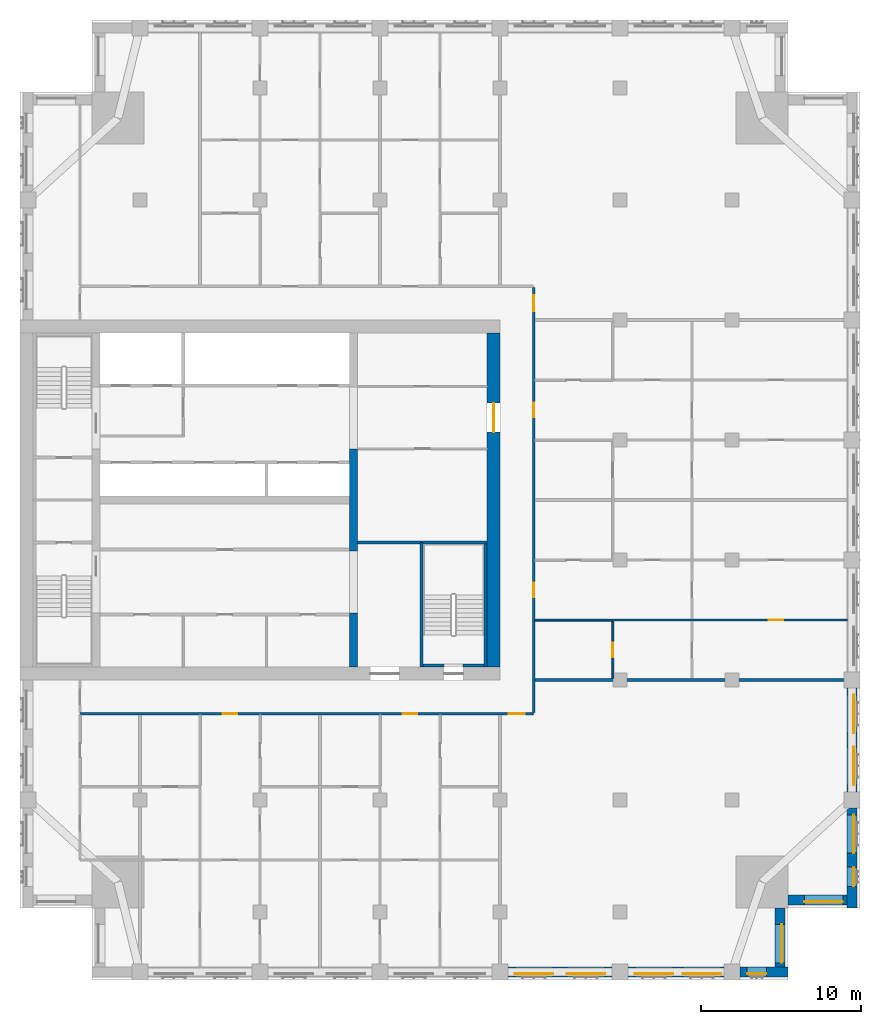
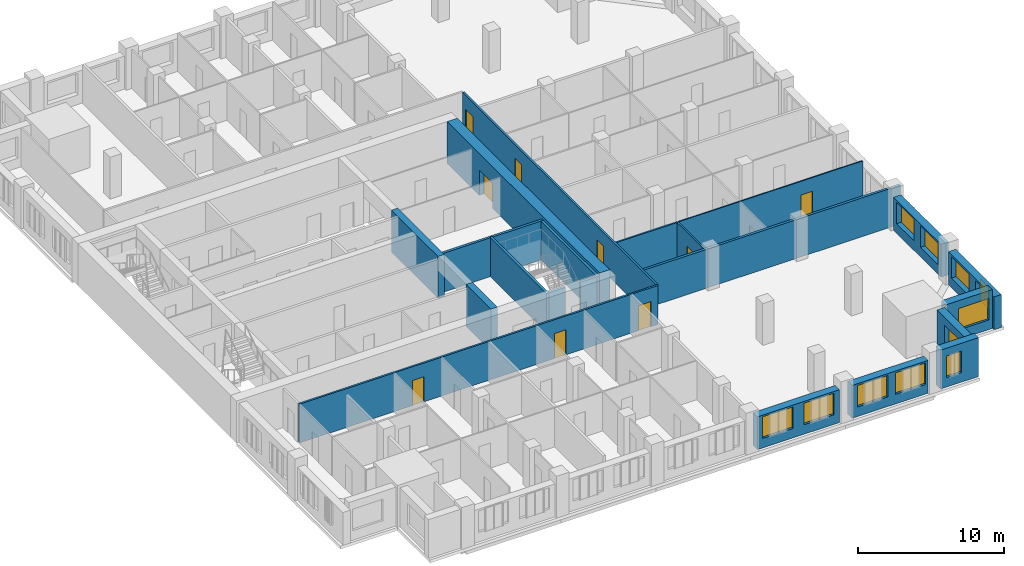
# One storey, part 8 of 14: 21 walls, 11 windows, 9 doors, 20 openings.
"""IFC4 building model written with IfcOpenShell, lengths in metres."""

from ifc_helpers import new_model, si_unit, direction, frame, frame_2d, origin, place, context, subcontext, project, spatial, rectangle, extrude, material, layer, layer_set, type_object, element, fill, save


model = new_model("IFC4")

# Units and contexts
model_context = context("Model", 3, precision=1e-05, world=origin(), true_north=direction((0.0, 1.0)))
body_context = subcontext(model_context, "Body", "Model", "MODEL_VIEW")
ifc_project = project(units=[si_unit("LENGTHUNIT", "METRE"), si_unit("AREAUNIT", "SQUARE_METRE"), si_unit("VOLUMEUNIT", "CUBIC_METRE"), si_unit("PLANEANGLEUNIT", "RADIAN"), si_unit("MASSUNIT", "GRAM", prefix="KILO")], contexts=[model_context])

# Site, building, storey
site_placement = place(None, origin())
site = spatial("IfcSite", under=ifc_project, at=site_placement, CompositionType="ELEMENT")
building_placement = place(site_placement, origin())
building = spatial("IfcBuilding", under=site, at=building_placement, Name="Tamorin Gate", CompositionType="ELEMENT")
storey_placement = place(building_placement, frame((0.0, 0.0, 193.199951171875)))
storey = spatial("IfcBuildingStorey", under=building, at=storey_placement, Name="L47", CompositionType="ELEMENT", Elevation=193.199951171875)

# Wall, openings, windows
ifc_material_1 = material(Name="Precast concrete C40/50", Category="concrete")
ifc_layer_1 = layer(ifc_material_1, 0.60009765625)
ifc_layer_set_1 = layer_set([ifc_layer_1], Name="Precast concrete C40/50")
wall_type_1 = type_object("IfcWallType", Name="Board-marked concrete facade panel 600", PredefinedType="SOLIDWALL", material=ifc_layer_set_1)
wall_1_placement = place(storey_placement, frame((60.5, 41.75, 0.0), z_axis=(0.0, 0.0, 1.0), x_axis=(1.0, 0.0, 0.0)))
wall_1 = element("IfcWall", 1, at=wall_1_placement, inside=storey, type_object=wall_type_1, Name="Facade panel", PredefinedType="SOLIDWALL", context=body_context, shape_type="SweptSolid", body=[
    extrude(rectangle(XDim=6.5, YDim=0.60009765625, at=frame_2d((3.25, 0.0))), origin(), (0.0, 0.0, 1.0), 2.75),
])
opening_1_placement = place(wall_1_placement, frame((0.425048828125, 0.0, 0.800048828125)))
opening_1 = element("IfcOpeningElement", 2, at=opening_1_placement, cuts=wall_1, Name="Opening WN1", PredefinedType="OPENING", context=body_context, shape_type="SweptSolid", body=[
    extrude(rectangle(XDim=2.39990234375, YDim=1.800048828125, at=frame_2d((1.199951171875, 0.89990234375))), frame((0.0, 0.31005859375, 0.0), z_axis=(0.0, -1.0, 0.0), x_axis=(1.0, 0.0, 0.0)), (0.0, 0.0, 1.0), 0.6201171875),
])
opening_2_placement = place(wall_1_placement, frame((3.675048828125, 0.0, 0.800048828125)))
opening_2 = element("IfcOpeningElement", 3, at=opening_2_placement, cuts=wall_1, Name="Opening WN1", PredefinedType="OPENING", context=body_context, shape_type="SweptSolid", body=[
    extrude(rectangle(XDim=2.39990234375, YDim=1.800048828125, at=frame_2d((1.199951171875, 0.89990234375))), frame((0.0, 0.31005859375, 0.0), z_axis=(0.0, -1.0, 0.0), x_axis=(1.0, 0.0, 0.0)), (0.0, 0.0, 1.0), 0.6201171875),
])
ifc_material_2 = material(Name="Clear glass in aluminium frame", Category="aluminium")
window_type_1 = type_object("IfcWindowType", Name="Deep-set window 2400x1800", PartitioningType="SINGLE_PANEL", PredefinedType="WINDOW", material=ifc_material_2)
window_1_placement = place(opening_1_placement, origin())
window_1 = element("IfcWindow", 4, at=window_1_placement, inside=storey, type_object=window_type_1, Name="Deep-set window", OverallHeight=1.800048828125, OverallWidth=2.39990234375, PartitioningType="SINGLE_PANEL", PredefinedType="WINDOW", context=body_context, shape_type="SweptSolid", body=[
    extrude(rectangle(XDim=2.39990234375, YDim=1.800048828125, at=frame_2d((1.199951171875, 0.89990234375))), frame((0.0, -0.070068359375, 0.0), z_axis=(0.0, -1.0, 0.0), x_axis=(1.0, 0.0, 0.0)), (0.0, 0.0, 1.0), 0.06005859375),
])
fill(opening_1, window_1)
window_2_placement = place(opening_2_placement, origin())
window_2 = element("IfcWindow", 5, at=window_2_placement, inside=storey, type_object=window_type_1, Name="Deep-set window", OverallHeight=1.800048828125, OverallWidth=2.39990234375, PartitioningType="SINGLE_PANEL", PredefinedType="WINDOW", context=body_context, shape_type="SweptSolid", body=[
    extrude(rectangle(XDim=2.39990234375, YDim=1.800048828125, at=frame_2d((1.199951171875, 0.89990234375))), frame((0.0, -0.070068359375, 0.0), z_axis=(0.0, -1.0, 0.0), x_axis=(1.0, 0.0, 0.0)), (0.0, 0.0, 1.0), 0.06005859375),
])
fill(opening_2, window_2)

wall_2_placement = place(storey_placement, frame((68.0, 41.75, 0.0), z_axis=(0.0, 0.0, 1.0), x_axis=(1.0, 0.0, 0.0)))
wall_2 = element("IfcWall", 6, at=wall_2_placement, inside=storey, type_object=wall_type_1, Name="Facade panel", PredefinedType="SOLIDWALL", context=body_context, shape_type="SweptSolid", body=[
    extrude(rectangle(XDim=6.0, YDim=0.60009765625, at=frame_2d((3.0, 0.0))), origin(), (0.0, 0.0, 1.0), 2.75),
])
opening_3_placement = place(wall_2_placement, frame((0.425048828125, 0.0, 0.800048828125)))
opening_3 = element("IfcOpeningElement", 7, at=opening_3_placement, cuts=wall_2, Name="Opening WN1", PredefinedType="OPENING", context=body_context, shape_type="SweptSolid", body=[
    extrude(rectangle(XDim=2.39990234375, YDim=1.800048828125, at=frame_2d((1.199951171875, 0.89990234375))), frame((0.0, 0.31005859375, 0.0), z_axis=(0.0, -1.0, 0.0), x_axis=(1.0, 0.0, 0.0)), (0.0, 0.0, 1.0), 0.6201171875),
])
opening_4_placement = place(wall_2_placement, frame((3.425048828125, 0.0, 0.800048828125)))
opening_4 = element("IfcOpeningElement", 8, at=opening_4_placement, cuts=wall_2, Name="Opening WN1", PredefinedType="OPENING", context=body_context, shape_type="SweptSolid", body=[
    extrude(rectangle(XDim=2.39990234375, YDim=1.800048828125, at=frame_2d((1.199951171875, 0.89990234375))), frame((0.0, 0.31005859375, 0.0), z_axis=(0.0, -1.0, 0.0), x_axis=(1.0, 0.0, 0.0)), (0.0, 0.0, 1.0), 0.6201171875),
])
window_3_placement = place(opening_3_placement, origin())
window_3 = element("IfcWindow", 9, at=window_3_placement, inside=storey, type_object=window_type_1, Name="Deep-set window", OverallHeight=1.800048828125, OverallWidth=2.39990234375, PartitioningType="SINGLE_PANEL", PredefinedType="WINDOW", context=body_context, shape_type="SweptSolid", body=[
    extrude(rectangle(XDim=2.39990234375, YDim=1.800048828125, at=frame_2d((1.199951171875, 0.89990234375))), frame((0.0, -0.070068359375, 0.0), z_axis=(0.0, -1.0, 0.0), x_axis=(1.0, 0.0, 0.0)), (0.0, 0.0, 1.0), 0.06005859375),
])
fill(opening_3, window_3)
window_4_placement = place(opening_4_placement, origin())
window_4 = element("IfcWindow", 10, at=window_4_placement, inside=storey, type_object=window_type_1, Name="Deep-set window", OverallHeight=1.800048828125, OverallWidth=2.39990234375, PartitioningType="SINGLE_PANEL", PredefinedType="WINDOW", context=body_context, shape_type="SweptSolid", body=[
    extrude(rectangle(XDim=2.39990234375, YDim=1.800048828125, at=frame_2d((1.199951171875, 0.89990234375))), frame((0.0, -0.070068359375, 0.0), z_axis=(0.0, -1.0, 0.0), x_axis=(1.0, 0.0, 0.0)), (0.0, 0.0, 1.0), 0.06005859375),
])
fill(opening_4, window_4)

# Wall, opening, window
wall_3_placement = place(storey_placement, frame((75.0, 41.75, 0.0), z_axis=(0.0, 0.0, 1.0), x_axis=(1.0, 0.0, 0.0)))
wall_3 = element("IfcWall", 11, at=wall_3_placement, inside=storey, type_object=wall_type_1, Name="Facade panel", PredefinedType="SOLIDWALL", context=body_context, shape_type="SweptSolid", body=[
    extrude(rectangle(XDim=3.0, YDim=0.60009765625, at=frame_2d((1.5, 0.0))), origin(), (0.0, 0.0, 1.0), 3.25),
])
opening_5_placement = place(wall_3_placement, frame((0.449951171875, 0.0, 0.800048828125)))
opening_5 = element("IfcOpeningElement", 12, at=opening_5_placement, cuts=wall_3, Name="Opening WN3", PredefinedType="OPENING", context=body_context, shape_type="SweptSolid", body=[
    extrude(rectangle(XDim=1.199951171875, YDim=1.800048828125, at=frame_2d((0.60009765625, 0.89990234375))), frame((0.0, 0.31005859375, 0.0), z_axis=(0.0, -1.0, 0.0), x_axis=(1.0, 0.0, 0.0)), (0.0, 0.0, 1.0), 0.6201171875),
])
window_type_2 = type_object("IfcWindowType", Name="Deep-set window 1200x1800", PartitioningType="SINGLE_PANEL", PredefinedType="WINDOW", material=ifc_material_2)
window_5_placement = place(opening_5_placement, origin())
window_5 = element("IfcWindow", 13, at=window_5_placement, inside=storey, type_object=window_type_2, Name="Deep-set window", OverallHeight=1.800048828125, OverallWidth=1.199951171875, PartitioningType="SINGLE_PANEL", PredefinedType="WINDOW", context=body_context, shape_type="SweptSolid", body=[
    extrude(rectangle(XDim=1.199951171875, YDim=1.800048828125, at=frame_2d((0.60009765625, 0.89990234375))), frame((0.0, -0.070068359375, 0.0), z_axis=(0.0, -1.0, 0.0), x_axis=(1.0, 0.0, 0.0)), (0.0, 0.0, 1.0), 0.06005859375),
])
fill(opening_5, window_5)

wall_4_placement = place(storey_placement, frame((77.5, 42.050048828125, 0.0), z_axis=(0.0, 0.0, 1.0), x_axis=(0.0, 1.0, 0.0)))
wall_4 = element("IfcWall", 14, at=wall_4_placement, inside=storey, type_object=wall_type_1, Name="Facade panel", PredefinedType="SOLIDWALL", context=body_context, shape_type="SweptSolid", body=[
    extrude(rectangle(XDim=3.699951171875, YDim=0.60009765625, at=frame_2d((1.85009765625, 0.0))), origin(), (0.0, 0.0, 1.0), 3.25),
])
opening_6_placement = place(wall_4_placement, frame((0.27490234375, 0.0, 0.800048828125)))
opening_6 = element("IfcOpeningElement", 15, at=opening_6_placement, cuts=wall_4, Name="Opening WN1", PredefinedType="OPENING", context=body_context, shape_type="SweptSolid", body=[
    extrude(rectangle(XDim=2.39990234375, YDim=1.800048828125, at=frame_2d((1.199951171875, 0.89990234375))), frame((0.0, 0.31005859375, 0.0), z_axis=(0.0, -1.0, 0.0), x_axis=(1.0, 0.0, 0.0)), (0.0, 0.0, 1.0), 0.6201171875),
])
window_6_placement = place(opening_6_placement, origin())
window_6 = element("IfcWindow", 16, at=window_6_placement, inside=storey, type_object=window_type_1, Name="Deep-set window", OverallHeight=1.800048828125, OverallWidth=2.39990234375, PartitioningType="SINGLE_PANEL", PredefinedType="WINDOW", context=body_context, shape_type="SweptSolid", body=[
    extrude(rectangle(XDim=2.39990234375, YDim=1.800048828125, at=frame_2d((1.199951171875, 0.89990234375))), frame((0.0, -0.070068359375, 0.0), z_axis=(0.0, -1.0, 0.0), x_axis=(1.0, 0.0, 0.0)), (0.0, 0.0, 1.0), 0.06005859375),
])
fill(opening_6, window_6)

wall_5_placement = place(storey_placement, frame((78.0, 46.25, 0.0), z_axis=(0.0, 0.0, 1.0), x_axis=(1.0, 0.0, 0.0)))
wall_5 = element("IfcWall", 17, at=wall_5_placement, inside=storey, type_object=wall_type_1, Name="Facade panel", PredefinedType="SOLIDWALL", context=body_context, shape_type="SweptSolid", body=[
    extrude(rectangle(XDim=3.699951171875, YDim=0.60009765625, at=frame_2d((1.85009765625, 0.0))), origin(), (0.0, 0.0, 1.0), 3.25),
])
opening_7_placement = place(wall_5_placement, frame((1.02490234375, 0.0, 0.800048828125)))
opening_7 = element("IfcOpeningElement", 18, at=opening_7_placement, cuts=wall_5, Name="Opening WN1", PredefinedType="OPENING", context=body_context, shape_type="SweptSolid", body=[
    extrude(rectangle(XDim=2.39990234375, YDim=1.800048828125, at=frame_2d((1.199951171875, 0.89990234375))), frame((0.0, 0.31005859375, 0.0), z_axis=(0.0, -1.0, 0.0), x_axis=(1.0, 0.0, 0.0)), (0.0, 0.0, 1.0), 0.6201171875),
])
window_7_placement = place(opening_7_placement, origin())
window_7 = element("IfcWindow", 19, at=window_7_placement, inside=storey, type_object=window_type_1, Name="Deep-set window", OverallHeight=1.800048828125, OverallWidth=2.39990234375, PartitioningType="SINGLE_PANEL", PredefinedType="WINDOW", context=body_context, shape_type="SweptSolid", body=[
    extrude(rectangle(XDim=2.39990234375, YDim=1.800048828125, at=frame_2d((1.199951171875, 0.89990234375))), frame((0.0, -0.070068359375, 0.0), z_axis=(0.0, -1.0, 0.0), x_axis=(1.0, 0.0, 0.0)), (0.0, 0.0, 1.0), 0.06005859375),
])
fill(opening_7, window_7)

# Wall, openings, windows
wall_6_placement = place(storey_placement, frame((82.0, 45.75, 0.0), z_axis=(0.0, 0.0, 1.0), x_axis=(0.0, 1.0, 0.0)))
wall_6 = element("IfcWall", 20, at=wall_6_placement, inside=storey, type_object=wall_type_1, Name="Facade panel", PredefinedType="SOLIDWALL", context=body_context, shape_type="SweptSolid", body=[
    extrude(rectangle(XDim=6.25, YDim=0.60009765625, at=frame_2d((3.125, 0.0))), origin(), (0.0, 0.0, 1.0), 2.75),
])
opening_8_placement = place(wall_6_placement, frame((1.35009765625, 0.0, 0.800048828125)))
opening_8 = element("IfcOpeningElement", 21, at=opening_8_placement, cuts=wall_6, Name="Opening WN3", PredefinedType="OPENING", context=body_context, shape_type="SweptSolid", body=[
    extrude(rectangle(XDim=1.199951171875, YDim=1.800048828125, at=frame_2d((0.60009765625, 0.89990234375))), frame((0.0, 0.31005859375, 0.0), z_axis=(0.0, -1.0, 0.0), x_axis=(1.0, 0.0, 0.0)), (0.0, 0.0, 1.0), 0.6201171875),
])
opening_9_placement = place(wall_6_placement, frame((3.425048828125, 0.0, 0.800048828125)))
opening_9 = element("IfcOpeningElement", 22, at=opening_9_placement, cuts=wall_6, Name="Opening WN1", PredefinedType="OPENING", context=body_context, shape_type="SweptSolid", body=[
    extrude(rectangle(XDim=2.39990234375, YDim=1.800048828125, at=frame_2d((1.199951171875, 0.89990234375))), frame((0.0, 0.31005859375, 0.0), z_axis=(0.0, -1.0, 0.0), x_axis=(1.0, 0.0, 0.0)), (0.0, 0.0, 1.0), 0.6201171875),
])
window_8_placement = place(opening_8_placement, origin())
window_8 = element("IfcWindow", 23, at=window_8_placement, inside=storey, type_object=window_type_2, Name="Deep-set window", OverallHeight=1.800048828125, OverallWidth=1.199951171875, PartitioningType="SINGLE_PANEL", PredefinedType="WINDOW", context=body_context, shape_type="SweptSolid", body=[
    extrude(rectangle(XDim=1.199951171875, YDim=1.800048828125, at=frame_2d((0.60009765625, 0.89990234375))), frame((0.0, -0.070068359375, 0.0), z_axis=(0.0, -1.0, 0.0), x_axis=(1.0, 0.0, 0.0)), (0.0, 0.0, 1.0), 0.06005859375),
])
fill(opening_8, window_8)
window_9_placement = place(opening_9_placement, origin())
window_9 = element("IfcWindow", 24, at=window_9_placement, inside=storey, type_object=window_type_1, Name="Deep-set window", OverallHeight=1.800048828125, OverallWidth=2.39990234375, PartitioningType="SINGLE_PANEL", PredefinedType="WINDOW", context=body_context, shape_type="SweptSolid", body=[
    extrude(rectangle(XDim=2.39990234375, YDim=1.800048828125, at=frame_2d((1.199951171875, 0.89990234375))), frame((0.0, -0.070068359375, 0.0), z_axis=(0.0, -1.0, 0.0), x_axis=(1.0, 0.0, 0.0)), (0.0, 0.0, 1.0), 0.06005859375),
])
fill(opening_9, window_9)

wall_7_placement = place(storey_placement, frame((82.0, 53.0, 0.0), z_axis=(0.0, 0.0, 1.0), x_axis=(0.0, 1.0, 0.0)))
wall_7 = element("IfcWall", 25, at=wall_7_placement, inside=storey, type_object=wall_type_1, Name="Facade panel", PredefinedType="SOLIDWALL", context=body_context, shape_type="SweptSolid", body=[
    extrude(rectangle(XDim=6.5, YDim=0.60009765625, at=frame_2d((3.25, 0.0))), origin(), (0.0, 0.0, 1.0), 2.75),
])
opening_10_placement = place(wall_7_placement, frame((0.425048828125, 0.0, 0.800048828125)))
opening_10 = element("IfcOpeningElement", 26, at=opening_10_placement, cuts=wall_7, Name="Opening WN1", PredefinedType="OPENING", context=body_context, shape_type="SweptSolid", body=[
    extrude(rectangle(XDim=2.39990234375, YDim=1.800048828125, at=frame_2d((1.199951171875, 0.89990234375))), frame((0.0, 0.31005859375, 0.0), z_axis=(0.0, -1.0, 0.0), x_axis=(1.0, 0.0, 0.0)), (0.0, 0.0, 1.0), 0.6201171875),
])
opening_11_placement = place(wall_7_placement, frame((3.675048828125, 0.0, 0.800048828125)))
opening_11 = element("IfcOpeningElement", 27, at=opening_11_placement, cuts=wall_7, Name="Opening WN1", PredefinedType="OPENING", context=body_context, shape_type="SweptSolid", body=[
    extrude(rectangle(XDim=2.39990234375, YDim=1.800048828125, at=frame_2d((1.199951171875, 0.89990234375))), frame((0.0, 0.31005859375, 0.0), z_axis=(0.0, -1.0, 0.0), x_axis=(1.0, 0.0, 0.0)), (0.0, 0.0, 1.0), 0.6201171875),
])
window_10_placement = place(opening_10_placement, origin())
window_10 = element("IfcWindow", 28, at=window_10_placement, inside=storey, type_object=window_type_1, Name="Deep-set window", OverallHeight=1.800048828125, OverallWidth=2.39990234375, PartitioningType="SINGLE_PANEL", PredefinedType="WINDOW", context=body_context, shape_type="SweptSolid", body=[
    extrude(rectangle(XDim=2.39990234375, YDim=1.800048828125, at=frame_2d((1.199951171875, 0.89990234375))), frame((0.0, -0.070068359375, 0.0), z_axis=(0.0, -1.0, 0.0), x_axis=(1.0, 0.0, 0.0)), (0.0, 0.0, 1.0), 0.06005859375),
])
fill(opening_10, window_10)
window_11_placement = place(opening_11_placement, origin())
window_11 = element("IfcWindow", 29, at=window_11_placement, inside=storey, type_object=window_type_1, Name="Deep-set window", OverallHeight=1.800048828125, OverallWidth=2.39990234375, PartitioningType="SINGLE_PANEL", PredefinedType="WINDOW", context=body_context, shape_type="SweptSolid", body=[
    extrude(rectangle(XDim=2.39990234375, YDim=1.800048828125, at=frame_2d((1.199951171875, 0.89990234375))), frame((0.0, -0.070068359375, 0.0), z_axis=(0.0, -1.0, 0.0), x_axis=(1.0, 0.0, 0.0)), (0.0, 0.0, 1.0), 0.06005859375),
])
fill(opening_11, window_11)

# Wall, openings, doors
ifc_material_3 = material(Name="Gypsum board partition")
ifc_layer_2 = layer(ifc_material_3, 0.14990234375)
ifc_layer_set_2 = layer_set([ifc_layer_2], Name="Corridor wall 150")
wall_type_2 = type_object("IfcWallType", Name="Corridor wall 150", PredefinedType="PARTITIONING", material=ifc_layer_set_2)
wall_8_placement = place(storey_placement, frame((33.75, 57.89990234375, 0.0), z_axis=(0.0, 0.0, 1.0), x_axis=(1.0, 0.0, 0.0)))
wall_8 = element("IfcWall", 30, at=wall_8_placement, inside=storey, type_object=wall_type_2, Name="Corridor wall 150", PredefinedType="PARTITIONING", context=body_context, shape_type="SweptSolid", body=[
    extrude(rectangle(XDim=28.35009765625, YDim=0.14990234375, at=frame_2d((14.175048828125, 0.0))), origin(), (0.0, 0.0, 1.0), 3.25),
])
opening_12_placement = place(wall_8_placement, frame((8.925048828125, 0.0, 0.0)))
opening_12 = element("IfcOpeningElement", 31, at=opening_12_placement, cuts=wall_8, Name="Opening DR1006", PredefinedType="OPENING", context=body_context, shape_type="SweptSolid", body=[
    extrude(rectangle(XDim=0.89990234375, YDim=2.10009765625, at=frame_2d((0.449951171875, 1.050048828125))), frame((0.0, 0.0849609375, 0.0), z_axis=(0.0, -1.0, 0.0), x_axis=(1.0, 0.0, 0.0)), (0.0, 0.0, 1.0), 0.169921875),
])
opening_13_placement = place(wall_8_placement, frame((20.175048828125, 0.0, 0.0)))
opening_13 = element("IfcOpeningElement", 32, at=opening_13_placement, cuts=wall_8, Name="Opening DR1014", PredefinedType="OPENING", context=body_context, shape_type="SweptSolid", body=[
    extrude(rectangle(XDim=0.89990234375, YDim=2.10009765625, at=frame_2d((0.449951171875, 1.050048828125))), frame((0.0, 0.0849609375, 0.0), z_axis=(0.0, -1.0, 0.0), x_axis=(1.0, 0.0, 0.0)), (0.0, 0.0, 1.0), 0.169921875),
])
opening_14_placement = place(wall_8_placement, frame((26.800048828125, 0.0, 0.0)))
opening_14 = element("IfcOpeningElement", 33, at=opening_14_placement, cuts=wall_8, Name="Opening DR1020", PredefinedType="OPENING", context=body_context, shape_type="SweptSolid", body=[
    extrude(rectangle(XDim=1.0, YDim=2.10009765625, at=frame_2d((0.5, 1.050048828125))), frame((0.0, 0.0849609375, 0.0), z_axis=(0.0, -1.0, 0.0), x_axis=(1.0, 0.0, 0.0)), (0.0, 0.0, 1.0), 0.169921875),
])
ifc_material_4 = material(Name="Timber door leaf", Category="wood")
door_type_1 = type_object("IfcDoorType", Name="Door 1000 x 2100 FD30S", OperationType="NOTDEFINED", PredefinedType="DOOR", material=ifc_material_4)
door_1_placement = place(opening_14_placement, origin())
door_1 = element("IfcDoor", 34, at=door_1_placement, inside=storey, type_object=door_type_1, Name="Door DR1020", OperationType="SINGLE_SWING_RIGHT", OverallHeight=2.10009765625, OverallWidth=1.0, PredefinedType="DOOR", context=body_context, shape_type="SweptSolid", body=[
    extrude(rectangle(XDim=1.0, YDim=2.10009765625, at=frame_2d((0.5, 1.050048828125))), frame((0.0, 0.02490234375, 0.0), z_axis=(0.0, -1.0, 0.0), x_axis=(1.0, 0.0, 0.0)), (0.0, 0.0, 1.0), 0.050048828125),
])
fill(opening_14, door_1)
door_type_2 = type_object("IfcDoorType", Name="Door 900 x 2100 FD30S", OperationType="NOTDEFINED", PredefinedType="DOOR", material=ifc_material_4)
door_2_placement = place(opening_12_placement, origin())
door_2 = element("IfcDoor", 35, at=door_2_placement, inside=storey, type_object=door_type_2, Name="Door DR1006", OperationType="SINGLE_SWING_RIGHT", OverallHeight=2.10009765625, OverallWidth=0.89990234375, PredefinedType="DOOR", context=body_context, shape_type="SweptSolid", body=[
    extrude(rectangle(XDim=0.89990234375, YDim=2.10009765625, at=frame_2d((0.449951171875, 1.050048828125))), frame((0.0, 0.02490234375, 0.0), z_axis=(0.0, -1.0, 0.0), x_axis=(1.0, 0.0, 0.0)), (0.0, 0.0, 1.0), 0.050048828125),
])
fill(opening_12, door_2)
door_3_placement = place(opening_13_placement, origin())
door_3 = element("IfcDoor", 36, at=door_3_placement, inside=storey, type_object=door_type_2, Name="Door DR1014", OperationType="SINGLE_SWING_RIGHT", OverallHeight=2.10009765625, OverallWidth=0.89990234375, PredefinedType="DOOR", context=body_context, shape_type="SweptSolid", body=[
    extrude(rectangle(XDim=0.89990234375, YDim=2.10009765625, at=frame_2d((0.449951171875, 1.050048828125))), frame((0.0, 0.02490234375, 0.0), z_axis=(0.0, -1.0, 0.0), x_axis=(1.0, 0.0, 0.0)), (0.0, 0.0, 1.0), 0.050048828125),
])
fill(opening_13, door_3)

wall_9_placement = place(storey_placement, frame((62.10009765625, 57.97509765625, 0.0), z_axis=(0.0, 0.0, 1.0), x_axis=(0.0, 1.0, 0.0)))
wall_9 = element("IfcWall", 37, at=wall_9_placement, inside=storey, type_object=wall_type_2, Name="Corridor wall 150", PredefinedType="PARTITIONING", context=body_context, shape_type="SweptSolid", body=[
    extrude(rectangle(XDim=26.5498046875, YDim=0.14990234375, at=frame_2d((13.27490234375, 0.0))), origin(), (0.0, 0.0, 1.0), 3.25),
])
opening_15_placement = place(wall_9_placement, frame((25.074951171875, 0.0, 0.0)))
opening_15 = element("IfcOpeningElement", 38, at=opening_15_placement, cuts=wall_9, Name="Opening DR1036", PredefinedType="OPENING", context=body_context, shape_type="SweptSolid", body=[
    extrude(rectangle(XDim=1.0, YDim=2.10009765625, at=frame_2d((0.5, 1.050048828125))), frame((0.0, 0.0849609375, 0.0), z_axis=(0.0, -1.0, 0.0), x_axis=(1.0, 0.0, 0.0)), (0.0, 0.0, 1.0), 0.169921875),
])
opening_16_placement = place(wall_9_placement, frame((7.199951171875, 0.0, 0.0)))
opening_16 = element("IfcOpeningElement", 39, at=opening_16_placement, cuts=wall_9, Name="Opening DR1039", PredefinedType="OPENING", context=body_context, shape_type="SweptSolid", body=[
    extrude(rectangle(XDim=0.89990234375, YDim=2.10009765625, at=frame_2d((0.449951171875, 1.050048828125))), frame((0.0, 0.0849609375, 0.0), z_axis=(0.0, -1.0, 0.0), x_axis=(1.0, 0.0, 0.0)), (0.0, 0.0, 1.0), 0.169921875),
])
opening_17_placement = place(wall_9_placement, frame((18.449951171875, 0.0, 0.0)))
opening_17 = element("IfcOpeningElement", 40, at=opening_17_placement, cuts=wall_9, Name="Opening DR1047", PredefinedType="OPENING", context=body_context, shape_type="SweptSolid", body=[
    extrude(rectangle(XDim=0.89990234375, YDim=2.10009765625, at=frame_2d((0.449951171875, 1.050048828125))), frame((0.0, 0.0849609375, 0.0), z_axis=(0.0, -1.0, 0.0), x_axis=(1.0, 0.0, 0.0)), (0.0, 0.0, 1.0), 0.169921875),
])
door_4_placement = place(opening_15_placement, origin())
door_4 = element("IfcDoor", 41, at=door_4_placement, inside=storey, type_object=door_type_1, Name="Door DR1036", OperationType="SINGLE_SWING_RIGHT", OverallHeight=2.10009765625, OverallWidth=1.0, PredefinedType="DOOR", context=body_context, shape_type="SweptSolid", body=[
    extrude(rectangle(XDim=1.0, YDim=2.10009765625, at=frame_2d((0.5, 1.050048828125))), frame((0.0, 0.02490234375, 0.0), z_axis=(0.0, -1.0, 0.0), x_axis=(1.0, 0.0, 0.0)), (0.0, 0.0, 1.0), 0.050048828125),
])
fill(opening_15, door_4)
door_5_placement = place(opening_16_placement, origin())
door_5 = element("IfcDoor", 42, at=door_5_placement, inside=storey, type_object=door_type_2, Name="Door DR1039", OperationType="SINGLE_SWING_RIGHT", OverallHeight=2.10009765625, OverallWidth=0.89990234375, PredefinedType="DOOR", context=body_context, shape_type="SweptSolid", body=[
    extrude(rectangle(XDim=0.89990234375, YDim=2.10009765625, at=frame_2d((0.449951171875, 1.050048828125))), frame((0.0, 0.02490234375, 0.0), z_axis=(0.0, -1.0, 0.0), x_axis=(1.0, 0.0, 0.0)), (0.0, 0.0, 1.0), 0.050048828125),
])
fill(opening_16, door_5)
door_6_placement = place(opening_17_placement, origin())
door_6 = element("IfcDoor", 43, at=door_6_placement, inside=storey, type_object=door_type_2, Name="Door DR1047", OperationType="SINGLE_SWING_RIGHT", OverallHeight=2.10009765625, OverallWidth=0.89990234375, PredefinedType="DOOR", context=body_context, shape_type="SweptSolid", body=[
    extrude(rectangle(XDim=0.89990234375, YDim=2.10009765625, at=frame_2d((0.449951171875, 1.050048828125))), frame((0.0, 0.02490234375, 0.0), z_axis=(0.0, -1.0, 0.0), x_axis=(1.0, 0.0, 0.0)), (0.0, 0.0, 1.0), 0.050048828125),
])
fill(opening_17, door_6)

# Walls
ifc_layer_3 = layer(ifc_material_3, 0.199951171875)
ifc_layer_set_3 = layer_set([ifc_layer_3], Name="Demising wall 200")
wall_type_3 = type_object("IfcWallType", Name="Demising wall 200", PredefinedType="PARTITIONING", material=ifc_layer_set_3)
wall_10_placement = place(storey_placement, frame((62.175048828125, 60.0, 0.0), z_axis=(0.0, 0.0, 1.0), x_axis=(1.0, 0.0, 0.0)))
element("IfcWall", 44, at=wall_10_placement, inside=storey, type_object=wall_type_3, Name="Demising wall 200", PredefinedType="PARTITIONING", context=body_context, shape_type="SweptSolid", body=[
    extrude(rectangle(XDim=20.324951171875, YDim=0.199951171875, at=frame_2d((10.16259765625, 0.0))), origin(), (0.0, 0.0, 1.0), 3.25),
])
ifc_material_5 = material(Name="Concrete C60/75", Category="concrete")
ifc_layer_4 = layer(ifc_material_5, 0.5)
ifc_layer_set_4 = layer_set([ifc_layer_4], Name="RC core internal wall 500 C60/75")
wall_type_4 = type_object("IfcWallType", Name="RC core internal wall 500 C60/75", PredefinedType="SHEAR", material=ifc_layer_set_4)
wall_11_placement = place(storey_placement, frame((50.85009765625, 60.800048828125, 0.0), z_axis=(0.0, 0.0, 1.0), x_axis=(0.0, 1.0, 0.0)))
element("IfcWall", 45, at=wall_11_placement, inside=storey, type_object=wall_type_4, Name="Core cross wall L47", PredefinedType="SHEAR", context=body_context, shape_type="SweptSolid", body=[
    extrude(rectangle(XDim=3.39990234375, YDim=0.5, at=frame_2d((1.699951171875, 0.0))), origin(), (0.0, 0.0, 1.0), 3.5),
])
wall_12_placement = place(storey_placement, frame((50.85009765625, 68.050048828125, 0.0), z_axis=(0.0, 0.0, 1.0), x_axis=(0.0, 1.0, 0.0)))
element("IfcWall", 46, at=wall_12_placement, inside=storey, type_object=wall_type_4, Name="Core cross wall L47", PredefinedType="SHEAR", context=body_context, shape_type="SweptSolid", body=[
    extrude(rectangle(XDim=6.39990234375, YDim=0.5, at=frame_2d((3.199951171875, 0.0))), origin(), (0.0, 0.0, 1.0), 3.5),
])

# Wall, opening, door
ifc_layer_5 = layer(ifc_material_5, 0.800048828125)
ifc_layer_set_5 = layer_set([ifc_layer_5], Name="RC core wall 800 C60/75")
wall_type_5 = type_object("IfcWallType", Name="RC core wall 800 C60/75", PredefinedType="SHEAR", material=ifc_layer_set_5)
wall_13_placement = place(storey_placement, frame((59.60009765625, 60.800048828125, 0.0), z_axis=(0.0, 0.0, 1.0), x_axis=(0.0, 1.0, 0.0)))
wall_13 = element("IfcWall", 47, at=wall_13_placement, inside=storey, type_object=wall_type_5, Name="Core wall L47", PredefinedType="SHEAR", context=body_context, shape_type="SweptSolid", body=[
    extrude(rectangle(XDim=20.89990234375, YDim=0.800048828125, at=frame_2d((10.449951171875, 0.0))), origin(), (0.0, 0.0, 1.0), 3.5),
])
opening_18_placement = place(wall_13_placement, frame((14.699951171875, 0.0, 0.0)))
opening_18 = element("IfcOpeningElement", 48, at=opening_18_placement, cuts=wall_13, Name="Opening DE1", PredefinedType="OPENING", context=body_context, shape_type="SweptSolid", body=[
    extrude(rectangle(XDim=1.800048828125, YDim=2.10009765625, at=frame_2d((0.89990234375, 1.050048828125))), frame((0.0, 0.409912109375, 0.0), z_axis=(0.0, -1.0, 0.0), x_axis=(1.0, 0.0, 0.0)), (0.0, 0.0, 1.0), 0.820068359375),
])
ifc_material_6 = material(Name="Steel fire door", Category="steel")
door_type_3 = type_object("IfcDoorType", Name="Lobby exit double door 1800 x 2100 EI 60", OperationType="DOUBLE_DOOR_SINGLE_SWING", PredefinedType="DOOR", material=ifc_material_6)
door_7_placement = place(opening_18_placement, origin())
door_7 = element("IfcDoor", 49, at=door_7_placement, inside=storey, type_object=door_type_3, Name="Lift lobby B exit door", OperationType="DOUBLE_DOOR_SINGLE_SWING", OverallHeight=2.10009765625, OverallWidth=1.800048828125, PredefinedType="DOOR", context=body_context, shape_type="SweptSolid", body=[
    extrude(rectangle(XDim=1.800048828125, YDim=2.10009765625, at=frame_2d((0.89990234375, 1.050048828125))), frame((0.0, 0.02490234375, 0.0), z_axis=(0.0, -1.0, 0.0), x_axis=(1.0, 0.0, 0.0)), (0.0, 0.0, 1.0), 0.050048828125),
])
fill(opening_18, door_7)

ifc_layer_6 = layer(ifc_material_3, 0.10009765625)
ifc_layer_set_6 = layer_set([ifc_layer_6], Name="Room partition 100")
wall_type_6 = type_object("IfcWallType", Name="Room partition 100", PredefinedType="PARTITIONING", material=ifc_layer_set_6)
wall_14_placement = place(storey_placement, frame((67.112548828125, 63.75, 0.0), z_axis=(0.0, 0.0, 1.0), x_axis=(1.0, 0.0, 0.0)))
wall_14 = element("IfcWall", 50, at=wall_14_placement, inside=storey, type_object=wall_type_6, Name="Room partition 100", PredefinedType="PARTITIONING", context=body_context, shape_type="SweptSolid", body=[
    extrude(rectangle(XDim=14.577392578125, YDim=0.10009765625, at=frame_2d((7.28857421875, 0.0))), origin(), (0.0, 0.0, 1.0), 3.25),
])
opening_19_placement = place(wall_14_placement, frame((9.6875, 0.0, 0.0)))
opening_19 = element("IfcOpeningElement", 51, at=opening_19_placement, cuts=wall_14, Name="Opening DR1043", PredefinedType="OPENING", context=body_context, shape_type="SweptSolid", body=[
    extrude(rectangle(XDim=0.89990234375, YDim=2.10009765625, at=frame_2d((0.449951171875, 1.050048828125))), frame((0.0, 0.06005859375, 0.0), z_axis=(0.0, -1.0, 0.0), x_axis=(1.0, 0.0, 0.0)), (0.0, 0.0, 1.0), 0.1201171875),
])
door_type_4 = type_object("IfcDoorType", Name="Door 900 x 2100", OperationType="NOTDEFINED", PredefinedType="DOOR", material=ifc_material_4)
door_8_placement = place(opening_19_placement, origin())
door_8 = element("IfcDoor", 52, at=door_8_placement, inside=storey, type_object=door_type_4, Name="Door DR1043", OperationType="SINGLE_SWING_RIGHT", OverallHeight=2.10009765625, OverallWidth=0.89990234375, PredefinedType="DOOR", context=body_context, shape_type="SweptSolid", body=[
    extrude(rectangle(XDim=0.89990234375, YDim=2.10009765625, at=frame_2d((0.449951171875, 1.050048828125))), frame((0.0, 0.02490234375, 0.0), z_axis=(0.0, -1.0, 0.0), x_axis=(1.0, 0.0, 0.0)), (0.0, 0.0, 1.0), 0.050048828125),
])
fill(opening_19, door_8)

# Walls
ifc_material_7 = material(Name="Concrete C40/50", Category="concrete")
ifc_layer_7 = layer(ifc_material_7, 0.199951171875)
ifc_layer_set_7 = layer_set([ifc_layer_7], Name="Stair enclosure wall 200 EI 120 C40/50")
wall_type_7 = type_object("IfcWallType", Name="Stair enclosure wall 200 EI 120 C40/50", PredefinedType="SOLIDWALL", material=ifc_layer_set_7)
wall_15_placement = place(storey_placement, frame((55.10009765625, 60.800048828125, 0.0), z_axis=(0.0, 0.0, 1.0), x_axis=(0.0, 1.0, 0.0)))
element("IfcWall", 53, at=wall_15_placement, inside=storey, type_object=wall_type_7, Name="Stair enclosure wall", PredefinedType="SOLIDWALL", context=body_context, shape_type="SweptSolid", body=[
    extrude(rectangle(XDim=7.800048828125, YDim=0.199951171875, at=frame_2d((3.89990234375, 0.0))), origin(), (0.0, 0.0, 1.0), 3.25),
])
wall_16_placement = place(storey_placement, frame((51.10009765625, 68.60009765625, 0.0), z_axis=(0.0, 0.0, 1.0), x_axis=(1.0, 0.0, 0.0)))
element("IfcWall", 54, at=wall_16_placement, inside=storey, type_object=wall_type_7, Name="Stair enclosure wall", PredefinedType="SOLIDWALL", context=body_context, shape_type="SweptSolid", body=[
    extrude(rectangle(XDim=8.099853515625, YDim=0.199951171875, at=frame_2d((4.0498046875, 0.0))), origin(), (0.0, 0.0, 1.0), 3.25),
])
ifc_layer_8 = layer(ifc_material_5, 0.199951171875)
ifc_layer_set_8 = layer_set([ifc_layer_8], Name="Stair lining wall 200 EI 120 C60/75")
wall_type_8 = type_object("IfcWallType", Name="Stair lining wall 200 EI 120 C60/75", PredefinedType="SOLIDWALL", material=ifc_layer_set_8)
for number, where, z_axis, x_axis, name in (
    (55, (55.199951171875, 60.89990234375, 0.0), (0.0, 0.0, 1.0), (1.0, 0.0, 0.0), "Stair lining wall"),
    (56, (57.699951171875, 60.89990234375, 0.0), (0.0, 0.0, 1.0), (1.0, 0.0, 0.0), "Stair lining wall"),
):
    element("IfcWall", number, at=place(storey_placement, frame(where, z_axis=z_axis, x_axis=x_axis)), inside=storey, type_object=wall_type_8, Name=name, PredefinedType="SOLIDWALL", context=body_context, shape_type="SweptSolid", body=[
        extrude(rectangle(XDim=1.300048828125, YDim=0.199951171875, at=frame_2d((0.64990234375, 0.0))), origin(), (0.0, 0.0, 1.0), 3.25),
    ])
wall_17_placement = place(storey_placement, frame((59.10009765625, 60.800048828125, 0.0), z_axis=(0.0, 0.0, 1.0), x_axis=(0.0, 1.0, 0.0)))
element("IfcWall", 57, at=wall_17_placement, inside=storey, type_object=wall_type_8, Name="Stair lining wall", PredefinedType="SOLIDWALL", context=body_context, shape_type="SweptSolid", body=[
    extrude(rectangle(XDim=7.699951171875, YDim=0.199951171875, at=frame_2d((3.85009765625, 0.0))), origin(), (0.0, 0.0, 1.0), 3.25),
])
ifc_layer_9 = layer(ifc_material_3, 0.125)
ifc_layer_set_9 = layer_set([ifc_layer_9], Name="Wet wall 125")
wall_type_9 = type_object("IfcWallType", Name="Wet wall 125", PredefinedType="PARTITIONING", material=ifc_layer_set_9)
wall_18_placement = place(storey_placement, frame((62.175048828125, 63.75, 0.0), z_axis=(0.0, 0.0, 1.0), x_axis=(1.0, 0.0, 0.0)))
element("IfcWall", 58, at=wall_18_placement, inside=storey, type_object=wall_type_9, Name="Wet wall 125", PredefinedType="PARTITIONING", context=body_context, shape_type="SweptSolid", body=[
    extrude(rectangle(XDim=4.875, YDim=0.125, at=frame_2d((2.4375, 0.0))), origin(), (0.0, 0.0, 1.0), 3.25),
])

# Wall, opening, door
wall_19_placement = place(storey_placement, frame((67.050048828125, 60.10009765625, 0.0), z_axis=(0.0, 0.0, 1.0), x_axis=(0.0, 1.0, 0.0)))
wall_19 = element("IfcWall", 59, at=wall_19_placement, inside=storey, type_object=wall_type_9, Name="Wet wall 125", PredefinedType="PARTITIONING", context=body_context, shape_type="SweptSolid", body=[
    extrude(rectangle(XDim=3.58740234375, YDim=0.125, at=frame_2d((1.793701171875, 0.0))), origin(), (0.0, 0.0, 1.0), 3.25),
])
opening_20_placement = place(wall_19_placement, frame((1.324951171875, 0.0, 0.0)))
opening_20 = element("IfcOpeningElement", 60, at=opening_20_placement, cuts=wall_19, Name="Opening DR1038", PredefinedType="OPENING", context=body_context, shape_type="SweptSolid", body=[
    extrude(rectangle(XDim=0.89990234375, YDim=2.10009765625, at=frame_2d((0.449951171875, 1.050048828125))), frame((0.0, 0.072509765625, 0.0), z_axis=(0.0, -1.0, 0.0), x_axis=(1.0, 0.0, 0.0)), (0.0, 0.0, 1.0), 0.14501953125),
])
door_9_placement = place(opening_20_placement, origin())
door_9 = element("IfcDoor", 61, at=door_9_placement, inside=storey, type_object=door_type_4, Name="Door DR1038", OperationType="SINGLE_SWING_LEFT", OverallHeight=2.10009765625, OverallWidth=0.89990234375, PredefinedType="DOOR", context=body_context, shape_type="SweptSolid", body=[
    extrude(rectangle(XDim=0.89990234375, YDim=2.10009765625, at=frame_2d((0.449951171875, 1.050048828125))), frame((0.0, 0.02490234375, 0.0), z_axis=(0.0, -1.0, 0.0), x_axis=(1.0, 0.0, 0.0)), (0.0, 0.0, 1.0), 0.050048828125),
])
fill(opening_20, door_9)

save(model, "model.ifc")
